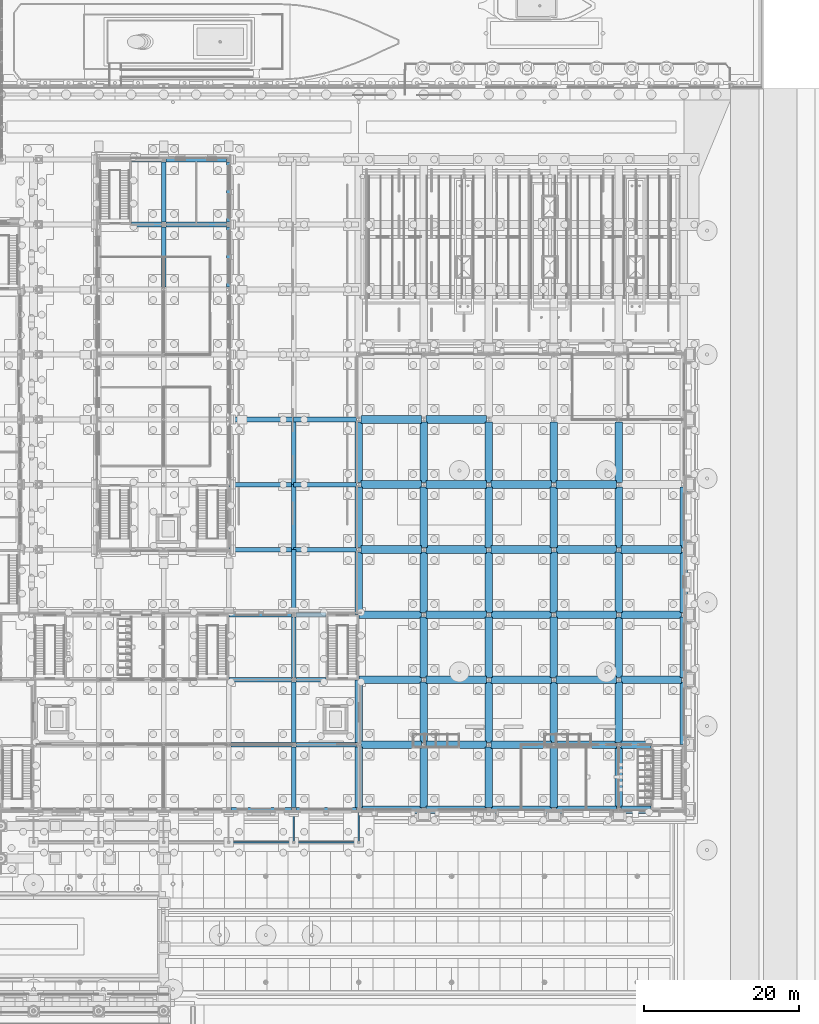
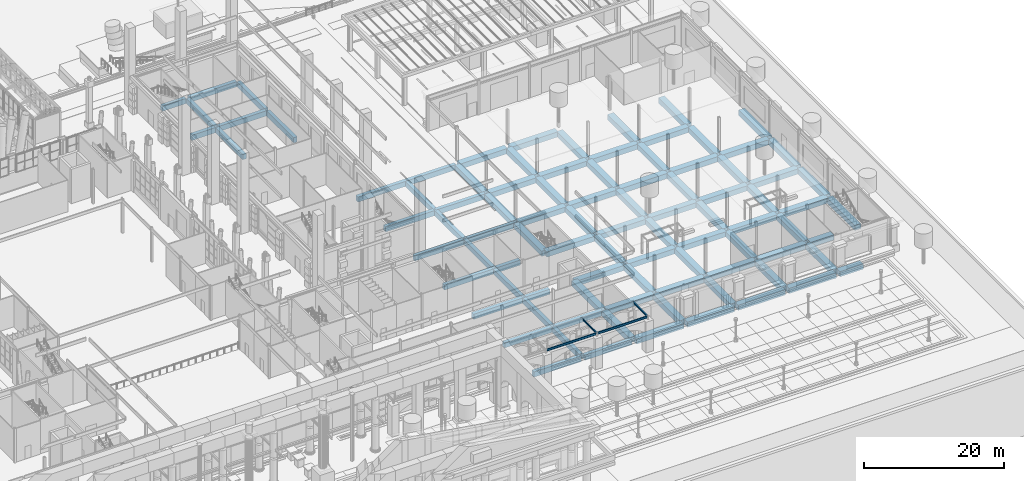
# One storey, part 60 of 222: 96 beams.
"""IFC4 building model written with IfcOpenShell, lengths in metres."""

from ifc_helpers import new_model, si_unit, direction, frame, origin, origin_2d, place, context, subcontext, project, spatial, rectangle, i_section, extrude, material, material_profile, profile_set, type_object, element, save


model = new_model("IFC4")

# Units and contexts
model_context = context("Model", 3, precision=1e-05, world=origin(), true_north=direction((0.0, 1.0)))
body_context = subcontext(model_context, "Body", "Model", "MODEL_VIEW")
ifc_project = project(units=[si_unit("LENGTHUNIT", "METRE"), si_unit("AREAUNIT", "SQUARE_METRE"), si_unit("VOLUMEUNIT", "CUBIC_METRE"), si_unit("PLANEANGLEUNIT", "RADIAN"), si_unit("MASSUNIT", "GRAM", prefix="KILO")], contexts=[model_context])

# Site, building, storey
site_placement = place(None, origin())
site = spatial("IfcSite", under=ifc_project, at=site_placement, CompositionType="ELEMENT")
building_placement = place(site_placement, origin())
building = spatial("IfcBuilding", under=site, at=building_placement, Name="Sava Quay Ferry Terminal", CompositionType="ELEMENT")
storey_placement = place(building_placement, origin())
storey = spatial("IfcBuildingStorey", under=building, at=storey_placement, Name="L00", CompositionType="ELEMENT", Elevation=0.0)

# Beams
ifc_material_1 = material(Name="Steel S355", Category="steel")
ifc_material_profile_1 = material_profile(ifc_material_1, i_section(OverallWidth=0.14990234375, OverallDepth=0.300048828125, WebThickness=0.007080078125, FlangeThickness=0.0107421875, at=origin_2d()), Name="IPE 300")
ifc_profile_set_1 = profile_set([ifc_material_profile_1], Name="Steel S355")
beam_type_1 = type_object("IfcBeamType", Name="Beam IPE 300", PredefinedType="BEAM", material=ifc_profile_set_1)
for number, where, z_axis, x_axis, name in (
    (1, (117.60009765625, 21.0, 5.85009765625), (0.0, 1.0, 0.0), (-1.0, 0.0, 0.0), "Arcade roof beam"),
    (2, (126.0, 21.0, 5.85009765625), (0.0, 1.0, 0.0), (-1.0, 0.0, 0.0), "Arcade roof beam"),
):
    element("IfcBeam", number, at=place(storey_placement, frame(where, z_axis=z_axis, x_axis=x_axis)), inside=storey, type_object=beam_type_1, Name=name, PredefinedType="BEAM", context=body_context, shape_type="SweptSolid", body=[
        extrude(i_section(OverallWidth=0.14990234375, OverallDepth=0.300048828125, WebThickness=0.007080078125, FlangeThickness=0.0107421875, at=origin_2d()), origin(), (0.0, 0.0, 1.0), 4.050048828125),
    ])
ifc_material_2 = material(Name="Steel S355", Category="steel")
ifc_material_profile_2 = material_profile(ifc_material_2, i_section(OverallWidth=0.169921875, OverallDepth=0.360107421875, WebThickness=0.008056640625, FlangeThickness=0.0126953125, at=origin_2d()), Name="IPE 360")
ifc_profile_set_2 = profile_set([ifc_material_profile_2], Name="Steel S355")
beam_type_2 = type_object("IfcBeamType", Name="Beam IPE 360", PredefinedType="BEAM", material=ifc_profile_set_2)
for number, where, z_axis, x_axis, name in (
    (3, (109.33642578125, 21.0, 5.820068359375), (1.0, 0.0, 0.0), (0.0, 1.0, 0.0), "Arcade edge beam"),
    (4, (117.736572265625, 21.0, 5.820068359375), (1.0, 0.0, 0.0), (0.0, 1.0, 0.0), "Arcade edge beam"),
):
    element("IfcBeam", number, at=place(storey_placement, frame(where, z_axis=z_axis, x_axis=x_axis)), inside=storey, type_object=beam_type_2, Name=name, PredefinedType="BEAM", context=body_context, shape_type="SweptSolid", body=[
        extrude(i_section(OverallWidth=0.169921875, OverallDepth=0.360107421875, WebThickness=0.008056640625, FlangeThickness=0.0126953125, at=origin_2d()), origin(), (0.0, 0.0, 1.0), 8.126953125),
    ])
ifc_material_3 = material(Name="Concrete C40/50", Category="concrete")
ifc_material_profile_3 = material_profile(ifc_material_3, rectangle(XDim=1.0, YDim=0.89990234375, at=origin_2d()), Name="RC 1000x900")
ifc_profile_set_3 = profile_set([ifc_material_profile_3], Name="Concrete C40/50")
beam_type_3 = type_object("IfcBeamType", Name="RC deck beam 1000x900", PredefinedType="BEAM", material=ifc_profile_set_3)
for number, where, z_axis, x_axis, name in (
    (5, (126.300048828125, 25.199951171875, -0.89990234375), (1.0, 0.0, 0.0), (0.0, 1.0, 0.0), "Deck beam X25.2-126"),
    (6, (134.699951171875, 25.199951171875, -0.89990234375), (1.0, 0.0, 0.0), (0.0, 1.0, 0.0), "Deck beam X25.2-134.4"),
):
    element("IfcBeam", number, at=place(storey_placement, frame(where, z_axis=z_axis, x_axis=x_axis)), inside=storey, type_object=beam_type_3, Name=name, PredefinedType="BEAM", context=body_context, shape_type="SweptSolid", body=[
        extrude(rectangle(XDim=1.0, YDim=0.89990234375, at=origin_2d()), origin(), (0.0, 0.0, 1.0), 7.800048828125),
    ])
beam_1_placement = place(storey_placement, frame((143.10009765625, 25.199951171875, -0.89990234375), z_axis=(1.0, 0.0, 0.0), x_axis=(0.0, 1.0, 0.0)))
element("IfcBeam", 7, at=beam_1_placement, inside=storey, type_object=beam_type_3, Name="Deck beam X25.2-142.8", PredefinedType="BEAM", context=body_context, shape_type="SweptSolid", body=[
    extrude(rectangle(XDim=1.0, YDim=0.89990234375, at=origin_2d()), origin(), (0.0, 0.0, 1.0), 7.7998046875),
])
beam_2_placement = place(storey_placement, frame((151.5, 25.199951171875, -0.89990234375), z_axis=(1.0, 0.0, 0.0), x_axis=(0.0, 1.0, 0.0)))
element("IfcBeam", 8, at=beam_2_placement, inside=storey, type_object=beam_type_3, Name="Deck beam X25.2-151.2", PredefinedType="BEAM", context=body_context, shape_type="SweptSolid", body=[
    extrude(rectangle(XDim=1.0, YDim=0.89990234375, at=origin_2d()), origin(), (0.0, 0.0, 1.0), 7.800048828125),
])
beam_3_placement = place(storey_placement, frame((159.89990234375, 25.199951171875, -0.89990234375), z_axis=(1.0, 0.0, 0.0), x_axis=(0.0, 1.0, 0.0)))
element("IfcBeam", 9, at=beam_3_placement, inside=storey, type_object=beam_type_3, Name="Deck beam X25.2-159.6", PredefinedType="BEAM", context=body_context, shape_type="SweptSolid", body=[
    extrude(rectangle(XDim=1.0, YDim=0.89990234375, at=origin_2d()), origin(), (0.0, 0.0, 1.0), 3.880126953125),
])
for number, where, z_axis, x_axis, name in (
    (10, (126.300048828125, 33.60009765625, -0.89990234375), (1.0, 0.0, 0.0), (0.0, 1.0, 0.0), "Deck beam X33.6-126"),
    (11, (134.699951171875, 33.60009765625, -0.89990234375), (1.0, 0.0, 0.0), (0.0, 1.0, 0.0), "Deck beam X33.6-134.4"),
):
    element("IfcBeam", number, at=place(storey_placement, frame(where, z_axis=z_axis, x_axis=x_axis)), inside=storey, type_object=beam_type_3, Name=name, PredefinedType="BEAM", context=body_context, shape_type="SweptSolid", body=[
        extrude(rectangle(XDim=1.0, YDim=0.89990234375, at=origin_2d()), origin(), (0.0, 0.0, 1.0), 7.800048828125),
    ])
beam_4_placement = place(storey_placement, frame((143.10009765625, 33.60009765625, -0.89990234375), z_axis=(1.0, 0.0, 0.0), x_axis=(0.0, 1.0, 0.0)))
element("IfcBeam", 12, at=beam_4_placement, inside=storey, type_object=beam_type_3, Name="Deck beam X33.6-142.8", PredefinedType="BEAM", context=body_context, shape_type="SweptSolid", body=[
    extrude(rectangle(XDim=1.0, YDim=0.89990234375, at=origin_2d()), origin(), (0.0, 0.0, 1.0), 7.7998046875),
])
beam_5_placement = place(storey_placement, frame((151.5, 33.60009765625, -0.89990234375), z_axis=(1.0, 0.0, 0.0), x_axis=(0.0, 1.0, 0.0)))
element("IfcBeam", 13, at=beam_5_placement, inside=storey, type_object=beam_type_3, Name="Deck beam X33.6-151.2", PredefinedType="BEAM", context=body_context, shape_type="SweptSolid", body=[
    extrude(rectangle(XDim=1.0, YDim=0.89990234375, at=origin_2d()), origin(), (0.0, 0.0, 1.0), 7.800048828125),
])
beam_6_placement = place(storey_placement, frame((159.89990234375, 33.60009765625, -0.89990234375), z_axis=(1.0, 0.0, 0.0), x_axis=(0.0, 1.0, 0.0)))
element("IfcBeam", 14, at=beam_6_placement, inside=storey, type_object=beam_type_3, Name="Deck beam X33.6-159.6", PredefinedType="BEAM", context=body_context, shape_type="SweptSolid", body=[
    extrude(rectangle(XDim=1.0, YDim=0.89990234375, at=origin_2d()), origin(), (0.0, 0.0, 1.0), 3.880126953125),
])
beam_7_placement = place(storey_placement, frame((126.02001953125, 42.0, -0.89990234375), z_axis=(1.0, 0.0, 0.0), x_axis=(0.0, 1.0, 0.0)))
element("IfcBeam", 15, at=beam_7_placement, inside=storey, type_object=beam_type_3, Name="Deck beam X42-126", PredefinedType="BEAM", context=body_context, shape_type="SweptSolid", body=[
    extrude(rectangle(XDim=1.0, YDim=0.89990234375, at=origin_2d()), origin(), (0.0, 0.0, 1.0), 8.080078125),
])
beam_8_placement = place(storey_placement, frame((134.699951171875, 42.0, -0.89990234375), z_axis=(1.0, 0.0, 0.0), x_axis=(0.0, 1.0, 0.0)))
element("IfcBeam", 16, at=beam_8_placement, inside=storey, type_object=beam_type_3, Name="Deck beam X42-134.4", PredefinedType="BEAM", context=body_context, shape_type="SweptSolid", body=[
    extrude(rectangle(XDim=1.0, YDim=0.89990234375, at=origin_2d()), origin(), (0.0, 0.0, 1.0), 7.800048828125),
])
beam_9_placement = place(storey_placement, frame((143.10009765625, 42.0, -0.89990234375), z_axis=(1.0, 0.0, 0.0), x_axis=(0.0, 1.0, 0.0)))
element("IfcBeam", 17, at=beam_9_placement, inside=storey, type_object=beam_type_3, Name="Deck beam X42-142.8", PredefinedType="BEAM", context=body_context, shape_type="SweptSolid", body=[
    extrude(rectangle(XDim=1.0, YDim=0.89990234375, at=origin_2d()), origin(), (0.0, 0.0, 1.0), 7.7998046875),
])
for number, where, z_axis, x_axis, name in (
    (18, (151.5, 42.0, -0.89990234375), (1.0, 0.0, 0.0), (0.0, 1.0, 0.0), "Deck beam X42-151.2"),
    (19, (159.89990234375, 42.0, -0.89990234375), (1.0, 0.0, 0.0), (0.0, 1.0, 0.0), "Deck beam X42-159.6"),
):
    element("IfcBeam", number, at=place(storey_placement, frame(where, z_axis=z_axis, x_axis=x_axis)), inside=storey, type_object=beam_type_3, Name=name, PredefinedType="BEAM", context=body_context, shape_type="SweptSolid", body=[
        extrude(rectangle(XDim=1.0, YDim=0.89990234375, at=origin_2d()), origin(), (0.0, 0.0, 1.0), 7.800048828125),
    ])
beam_10_placement = place(storey_placement, frame((126.02001953125, 50.39990234375, -0.89990234375), z_axis=(1.0, 0.0, 0.0), x_axis=(0.0, 1.0, 0.0)))
element("IfcBeam", 20, at=beam_10_placement, inside=storey, type_object=beam_type_3, Name="Deck beam X50.4-126", PredefinedType="BEAM", context=body_context, shape_type="SweptSolid", body=[
    extrude(rectangle(XDim=1.0, YDim=0.89990234375, at=origin_2d()), origin(), (0.0, 0.0, 1.0), 8.080078125),
])
beam_11_placement = place(storey_placement, frame((134.699951171875, 50.39990234375, -0.89990234375), z_axis=(1.0, 0.0, 0.0), x_axis=(0.0, 1.0, 0.0)))
element("IfcBeam", 21, at=beam_11_placement, inside=storey, type_object=beam_type_3, Name="Deck beam X50.4-134.4", PredefinedType="BEAM", context=body_context, shape_type="SweptSolid", body=[
    extrude(rectangle(XDim=1.0, YDim=0.89990234375, at=origin_2d()), origin(), (0.0, 0.0, 1.0), 7.800048828125),
])
beam_12_placement = place(storey_placement, frame((143.10009765625, 50.39990234375, -0.89990234375), z_axis=(1.0, 0.0, 0.0), x_axis=(0.0, 1.0, 0.0)))
element("IfcBeam", 22, at=beam_12_placement, inside=storey, type_object=beam_type_3, Name="Deck beam X50.4-142.8", PredefinedType="BEAM", context=body_context, shape_type="SweptSolid", body=[
    extrude(rectangle(XDim=1.0, YDim=0.89990234375, at=origin_2d()), origin(), (0.0, 0.0, 1.0), 7.7998046875),
])
for number, where, z_axis, x_axis, name in (
    (23, (151.5, 50.39990234375, -0.89990234375), (1.0, 0.0, 0.0), (0.0, 1.0, 0.0), "Deck beam X50.4-151.2"),
    (24, (159.89990234375, 50.39990234375, -0.89990234375), (1.0, 0.0, 0.0), (0.0, 1.0, 0.0), "Deck beam X50.4-159.6"),
    (25, (126.300048828125, 58.800048828125, -0.89990234375), (1.0, 0.0, 0.0), (0.0, 1.0, 0.0), "Deck beam X58.8-126"),
    (26, (134.699951171875, 58.800048828125, -0.89990234375), (1.0, 0.0, 0.0), (0.0, 1.0, 0.0), "Deck beam X58.8-134.4"),
):
    element("IfcBeam", number, at=place(storey_placement, frame(where, z_axis=z_axis, x_axis=x_axis)), inside=storey, type_object=beam_type_3, Name=name, PredefinedType="BEAM", context=body_context, shape_type="SweptSolid", body=[
        extrude(rectangle(XDim=1.0, YDim=0.89990234375, at=origin_2d()), origin(), (0.0, 0.0, 1.0), 7.800048828125),
    ])
beam_13_placement = place(storey_placement, frame((143.10009765625, 58.800048828125, -0.89990234375), z_axis=(1.0, 0.0, 0.0), x_axis=(0.0, 1.0, 0.0)))
element("IfcBeam", 27, at=beam_13_placement, inside=storey, type_object=beam_type_3, Name="Deck beam X58.8-142.8", PredefinedType="BEAM", context=body_context, shape_type="SweptSolid", body=[
    extrude(rectangle(XDim=1.0, YDim=0.89990234375, at=origin_2d()), origin(), (0.0, 0.0, 1.0), 7.7998046875),
])
for number, where, z_axis, x_axis, name in (
    (28, (151.5, 58.800048828125, -0.89990234375), (1.0, 0.0, 0.0), (0.0, 1.0, 0.0), "Deck beam X58.8-151.2"),
    (29, (159.89990234375, 58.800048828125, -0.89990234375), (1.0, 0.0, 0.0), (0.0, 1.0, 0.0), "Deck beam X58.8-159.6"),
    (30, (126.300048828125, 67.199951171875, -0.89990234375), (1.0, 0.0, 0.0), (0.0, 1.0, 0.0), "Deck beam X67.2-126"),
    (31, (134.699951171875, 67.199951171875, -0.89990234375), (1.0, 0.0, 0.0), (0.0, 1.0, 0.0), "Deck beam X67.2-134.4"),
):
    element("IfcBeam", number, at=place(storey_placement, frame(where, z_axis=z_axis, x_axis=x_axis)), inside=storey, type_object=beam_type_3, Name=name, PredefinedType="BEAM", context=body_context, shape_type="SweptSolid", body=[
        extrude(rectangle(XDim=1.0, YDim=0.89990234375, at=origin_2d()), origin(), (0.0, 0.0, 1.0), 7.800048828125),
    ])
beam_14_placement = place(storey_placement, frame((143.10009765625, 67.199951171875, -0.89990234375), z_axis=(1.0, 0.0, 0.0), x_axis=(0.0, 1.0, 0.0)))
element("IfcBeam", 32, at=beam_14_placement, inside=storey, type_object=beam_type_3, Name="Deck beam X67.2-142.8", PredefinedType="BEAM", context=body_context, shape_type="SweptSolid", body=[
    extrude(rectangle(XDim=1.0, YDim=0.89990234375, at=origin_2d()), origin(), (0.0, 0.0, 1.0), 7.7998046875),
])
for number, where, z_axis, x_axis, name in (
    (33, (151.5, 67.199951171875, -0.89990234375), (1.0, 0.0, 0.0), (0.0, 1.0, 0.0), "Deck beam X67.2-151.2"),
    (34, (126.300048828125, 75.60009765625, -0.89990234375), (1.0, 0.0, 0.0), (0.0, 1.0, 0.0), "Deck beam X75.6-126"),
    (35, (134.699951171875, 75.60009765625, -0.89990234375), (1.0, 0.0, 0.0), (0.0, 1.0, 0.0), "Deck beam X75.6-134.4"),
    (36, (126.0, 25.5, -0.89990234375), (0.0, 1.0, 0.0), (-1.0, 0.0, 0.0), "Deck beam Y126-25.2"),
):
    element("IfcBeam", number, at=place(storey_placement, frame(where, z_axis=z_axis, x_axis=x_axis)), inside=storey, type_object=beam_type_3, Name=name, PredefinedType="BEAM", context=body_context, shape_type="SweptSolid", body=[
        extrude(rectangle(XDim=1.0, YDim=0.89990234375, at=origin_2d()), origin(), (0.0, 0.0, 1.0), 7.800048828125),
    ])
for number, where, z_axis, x_axis, name in (
    (37, (126.0, 33.89990234375, -0.89990234375), (0.0, 1.0, 0.0), (-1.0, 0.0, 0.0), "Deck beam Y126-33.6"),
    (38, (126.0, 50.419921875, -0.89990234375), (0.0, 1.0, 0.0), (-1.0, 0.0, 0.0), "Deck beam Y126-50.4"),
):
    element("IfcBeam", number, at=place(storey_placement, frame(where, z_axis=z_axis, x_axis=x_axis)), inside=storey, type_object=beam_type_3, Name=name, PredefinedType="BEAM", context=body_context, shape_type="SweptSolid", body=[
        extrude(rectangle(XDim=1.0, YDim=0.89990234375, at=origin_2d()), origin(), (0.0, 0.0, 1.0), 8.080078125),
    ])
beam_15_placement = place(storey_placement, frame((126.0, 59.10009765625, -0.89990234375), z_axis=(0.0, 1.0, 0.0), x_axis=(-1.0, 0.0, 0.0)))
element("IfcBeam", 39, at=beam_15_placement, inside=storey, type_object=beam_type_3, Name="Deck beam Y126-58.8", PredefinedType="BEAM", context=body_context, shape_type="SweptSolid", body=[
    extrude(rectangle(XDim=1.0, YDim=0.89990234375, at=origin_2d()), origin(), (0.0, 0.0, 1.0), 7.7998046875),
])
for number, where, z_axis, x_axis, name in (
    (40, (126.0, 67.5, -0.89990234375), (0.0, 1.0, 0.0), (-1.0, 0.0, 0.0), "Deck beam Y126-67.2"),
    (41, (134.39990234375, 25.5, -0.89990234375), (0.0, 1.0, 0.0), (-1.0, 0.0, 0.0), "Deck beam Y134.4-25.2"),
    (42, (134.39990234375, 33.89990234375, -0.89990234375), (0.0, 1.0, 0.0), (-1.0, 0.0, 0.0), "Deck beam Y134.4-33.6"),
    (43, (134.39990234375, 42.300048828125, -0.89990234375), (0.0, 1.0, 0.0), (-1.0, 0.0, 0.0), "Deck beam Y134.4-42"),
    (44, (134.39990234375, 50.699951171875, -0.89990234375), (0.0, 1.0, 0.0), (-1.0, 0.0, 0.0), "Deck beam Y134.4-50.4"),
):
    element("IfcBeam", number, at=place(storey_placement, frame(where, z_axis=z_axis, x_axis=x_axis)), inside=storey, type_object=beam_type_3, Name=name, PredefinedType="BEAM", context=body_context, shape_type="SweptSolid", body=[
        extrude(rectangle(XDim=1.0, YDim=0.89990234375, at=origin_2d()), origin(), (0.0, 0.0, 1.0), 7.800048828125),
    ])
beam_16_placement = place(storey_placement, frame((134.39990234375, 59.10009765625, -0.89990234375), z_axis=(0.0, 1.0, 0.0), x_axis=(-1.0, 0.0, 0.0)))
element("IfcBeam", 45, at=beam_16_placement, inside=storey, type_object=beam_type_3, Name="Deck beam Y134.4-58.8", PredefinedType="BEAM", context=body_context, shape_type="SweptSolid", body=[
    extrude(rectangle(XDim=1.0, YDim=0.89990234375, at=origin_2d()), origin(), (0.0, 0.0, 1.0), 7.7998046875),
])
for number, where, z_axis, x_axis, name in (
    (46, (134.39990234375, 67.5, -0.89990234375), (0.0, 1.0, 0.0), (-1.0, 0.0, 0.0), "Deck beam Y134.4-67.2"),
    (47, (142.800048828125, 25.5, -0.89990234375), (0.0, 1.0, 0.0), (-1.0, 0.0, 0.0), "Deck beam Y142.8-25.2"),
    (48, (142.800048828125, 33.89990234375, -0.89990234375), (0.0, 1.0, 0.0), (-1.0, 0.0, 0.0), "Deck beam Y142.8-33.6"),
    (49, (142.800048828125, 42.300048828125, -0.89990234375), (0.0, 1.0, 0.0), (-1.0, 0.0, 0.0), "Deck beam Y142.8-42"),
    (50, (142.800048828125, 50.699951171875, -0.89990234375), (0.0, 1.0, 0.0), (-1.0, 0.0, 0.0), "Deck beam Y142.8-50.4"),
):
    element("IfcBeam", number, at=place(storey_placement, frame(where, z_axis=z_axis, x_axis=x_axis)), inside=storey, type_object=beam_type_3, Name=name, PredefinedType="BEAM", context=body_context, shape_type="SweptSolid", body=[
        extrude(rectangle(XDim=1.0, YDim=0.89990234375, at=origin_2d()), origin(), (0.0, 0.0, 1.0), 7.800048828125),
    ])
beam_17_placement = place(storey_placement, frame((142.800048828125, 59.10009765625, -0.89990234375), z_axis=(0.0, 1.0, 0.0), x_axis=(-1.0, 0.0, 0.0)))
element("IfcBeam", 51, at=beam_17_placement, inside=storey, type_object=beam_type_3, Name="Deck beam Y142.8-58.8", PredefinedType="BEAM", context=body_context, shape_type="SweptSolid", body=[
    extrude(rectangle(XDim=1.0, YDim=0.89990234375, at=origin_2d()), origin(), (0.0, 0.0, 1.0), 7.7998046875),
])
for number, where, z_axis, x_axis, name in (
    (52, (142.800048828125, 67.5, -0.89990234375), (0.0, 1.0, 0.0), (-1.0, 0.0, 0.0), "Deck beam Y142.8-67.2"),
    (53, (151.199951171875, 25.5, -0.89990234375), (0.0, 1.0, 0.0), (-1.0, 0.0, 0.0), "Deck beam Y151.2-25.2"),
    (54, (151.199951171875, 33.89990234375, -0.89990234375), (0.0, 1.0, 0.0), (-1.0, 0.0, 0.0), "Deck beam Y151.2-33.6"),
    (55, (151.199951171875, 42.300048828125, -0.89990234375), (0.0, 1.0, 0.0), (-1.0, 0.0, 0.0), "Deck beam Y151.2-42"),
    (56, (151.199951171875, 50.699951171875, -0.89990234375), (0.0, 1.0, 0.0), (-1.0, 0.0, 0.0), "Deck beam Y151.2-50.4"),
):
    element("IfcBeam", number, at=place(storey_placement, frame(where, z_axis=z_axis, x_axis=x_axis)), inside=storey, type_object=beam_type_3, Name=name, PredefinedType="BEAM", context=body_context, shape_type="SweptSolid", body=[
        extrude(rectangle(XDim=1.0, YDim=0.89990234375, at=origin_2d()), origin(), (0.0, 0.0, 1.0), 7.800048828125),
    ])
beam_18_placement = place(storey_placement, frame((151.199951171875, 59.10009765625, -0.89990234375), z_axis=(0.0, 1.0, 0.0), x_axis=(-1.0, 0.0, 0.0)))
element("IfcBeam", 57, at=beam_18_placement, inside=storey, type_object=beam_type_3, Name="Deck beam Y151.2-58.8", PredefinedType="BEAM", context=body_context, shape_type="SweptSolid", body=[
    extrude(rectangle(XDim=1.0, YDim=0.89990234375, at=origin_2d()), origin(), (0.0, 0.0, 1.0), 7.7998046875),
])
for number, where, z_axis, x_axis, name in (
    (58, (151.199951171875, 67.5, -0.89990234375), (0.0, 1.0, 0.0), (-1.0, 0.0, 0.0), "Deck beam Y151.2-67.2"),
    (59, (159.60009765625, 25.5, -0.89990234375), (0.0, 1.0, 0.0), (-1.0, 0.0, 0.0), "Deck beam Y159.6-25.2"),
    (60, (159.60009765625, 33.89990234375, -0.89990234375), (0.0, 1.0, 0.0), (-1.0, 0.0, 0.0), "Deck beam Y159.6-33.6"),
    (61, (159.60009765625, 42.300048828125, -0.89990234375), (0.0, 1.0, 0.0), (-1.0, 0.0, 0.0), "Deck beam Y159.6-42"),
    (62, (159.60009765625, 50.699951171875, -0.89990234375), (0.0, 1.0, 0.0), (-1.0, 0.0, 0.0), "Deck beam Y159.6-50.4"),
):
    element("IfcBeam", number, at=place(storey_placement, frame(where, z_axis=z_axis, x_axis=x_axis)), inside=storey, type_object=beam_type_3, Name=name, PredefinedType="BEAM", context=body_context, shape_type="SweptSolid", body=[
        extrude(rectangle(XDim=1.0, YDim=0.89990234375, at=origin_2d()), origin(), (0.0, 0.0, 1.0), 7.800048828125),
    ])
beam_19_placement = place(storey_placement, frame((159.60009765625, 59.10009765625, -0.89990234375), z_axis=(0.0, 1.0, 0.0), x_axis=(-1.0, 0.0, 0.0)))
element("IfcBeam", 63, at=beam_19_placement, inside=storey, type_object=beam_type_3, Name="Deck beam Y159.6-58.8", PredefinedType="BEAM", context=body_context, shape_type="SweptSolid", body=[
    extrude(rectangle(XDim=1.0, YDim=0.89990234375, at=origin_2d()), origin(), (0.0, 0.0, 1.0), 7.7998046875),
])
beam_20_placement = place(storey_placement, frame((159.60009765625, 67.5, -0.89990234375), z_axis=(0.0, 1.0, 0.0), x_axis=(-1.0, 0.0, 0.0)))
element("IfcBeam", 64, at=beam_20_placement, inside=storey, type_object=beam_type_3, Name="Deck beam Y159.6-67.2", PredefinedType="BEAM", context=body_context, shape_type="SweptSolid", body=[
    extrude(rectangle(XDim=1.0, YDim=0.89990234375, at=origin_2d()), origin(), (0.0, 0.0, 1.0), 7.800048828125),
])
beam_21_placement = place(storey_placement, frame((168.0, 33.6201171875, -0.89990234375), z_axis=(0.0, 1.0, 0.0), x_axis=(-1.0, 0.0, 0.0)))
element("IfcBeam", 65, at=beam_21_placement, inside=storey, type_object=beam_type_3, Name="Deck beam Y168-33.6", PredefinedType="BEAM", context=body_context, shape_type="SweptSolid", body=[
    extrude(rectangle(XDim=1.0, YDim=0.89990234375, at=origin_2d()), origin(), (0.0, 0.0, 1.0), 8.079833984375),
])
for number, where, z_axis, x_axis, name in (
    (66, (168.0, 42.300048828125, -0.89990234375), (0.0, 1.0, 0.0), (-1.0, 0.0, 0.0), "Deck beam Y168-42"),
    (67, (168.0, 50.699951171875, -0.89990234375), (0.0, 1.0, 0.0), (-1.0, 0.0, 0.0), "Deck beam Y168-50.4"),
):
    element("IfcBeam", number, at=place(storey_placement, frame(where, z_axis=z_axis, x_axis=x_axis)), inside=storey, type_object=beam_type_3, Name=name, PredefinedType="BEAM", context=body_context, shape_type="SweptSolid", body=[
        extrude(rectangle(XDim=1.0, YDim=0.89990234375, at=origin_2d()), origin(), (0.0, 0.0, 1.0), 7.800048828125),
    ])
beam_22_placement = place(storey_placement, frame((168.0, 59.10009765625, -0.89990234375), z_axis=(0.0, 1.0, 0.0), x_axis=(-1.0, 0.0, 0.0)))
element("IfcBeam", 68, at=beam_22_placement, inside=storey, type_object=beam_type_3, Name="Deck beam Y168-58.8", PredefinedType="BEAM", context=body_context, shape_type="SweptSolid", body=[
    extrude(rectangle(XDim=1.0, YDim=0.89990234375, at=origin_2d()), origin(), (0.0, 0.0, 1.0), 7.7998046875),
])
ifc_material_4 = material(Name="Concrete C40/50", Category="concrete")
ifc_material_profile_4 = material_profile(ifc_material_4, rectangle(XDim=0.60009765625, YDim=0.89990234375, at=origin_2d()), Name="RC 600x900")
ifc_profile_set_4 = profile_set([ifc_material_profile_4], Name="Concrete C40/50")
beam_type_4 = type_object("IfcBeamType", Name="RC deck beam 600x900", PredefinedType="BEAM", material=ifc_profile_set_4)
for number, where, z_axis, x_axis, name in (
    (69, (109.5, 25.199951171875, -0.89990234375), (1.0, 0.0, 0.0), (0.0, 1.0, 0.0), "Deck beam X25.2-109.2"),
    (70, (117.89990234375, 25.199951171875, -0.89990234375), (1.0, 0.0, 0.0), (0.0, 1.0, 0.0), "Deck beam X25.2-117.6"),
    (71, (109.5, 33.60009765625, -0.89990234375), (1.0, 0.0, 0.0), (0.0, 1.0, 0.0), "Deck beam X33.6-109.2"),
    (72, (117.89990234375, 33.60009765625, -0.89990234375), (1.0, 0.0, 0.0), (0.0, 1.0, 0.0), "Deck beam X33.6-117.6"),
):
    element("IfcBeam", number, at=place(storey_placement, frame(where, z_axis=z_axis, x_axis=x_axis)), inside=storey, type_object=beam_type_4, Name=name, PredefinedType="BEAM", context=body_context, shape_type="SweptSolid", body=[
        extrude(rectangle(XDim=0.60009765625, YDim=0.89990234375, at=origin_2d()), origin(), (0.0, 0.0, 1.0), 7.800048828125),
    ])
beam_23_placement = place(storey_placement, frame((109.219970703125, 42.0, -0.89990234375), z_axis=(1.0, 0.0, 0.0), x_axis=(0.0, 1.0, 0.0)))
element("IfcBeam", 73, at=beam_23_placement, inside=storey, type_object=beam_type_4, Name="Deck beam X42-109.2", PredefinedType="BEAM", context=body_context, shape_type="SweptSolid", body=[
    extrude(rectangle(XDim=0.60009765625, YDim=0.89990234375, at=origin_2d()), origin(), (0.0, 0.0, 1.0), 8.080078125),
])
beam_24_placement = place(storey_placement, frame((117.89990234375, 42.0, -0.89990234375), z_axis=(1.0, 0.0, 0.0), x_axis=(0.0, 1.0, 0.0)))
element("IfcBeam", 74, at=beam_24_placement, inside=storey, type_object=beam_type_4, Name="Deck beam X42-117.6", PredefinedType="BEAM", context=body_context, shape_type="SweptSolid", body=[
    extrude(rectangle(XDim=0.60009765625, YDim=0.89990234375, at=origin_2d()), origin(), (0.0, 0.0, 1.0), 3.880126953125),
])
beam_25_placement = place(storey_placement, frame((109.219970703125, 50.39990234375, -0.89990234375), z_axis=(1.0, 0.0, 0.0), x_axis=(0.0, 1.0, 0.0)))
element("IfcBeam", 75, at=beam_25_placement, inside=storey, type_object=beam_type_4, Name="Deck beam X50.4-109.2", PredefinedType="BEAM", context=body_context, shape_type="SweptSolid", body=[
    extrude(rectangle(XDim=0.60009765625, YDim=0.89990234375, at=origin_2d()), origin(), (0.0, 0.0, 1.0), 8.080078125),
])
beam_26_placement = place(storey_placement, frame((117.89990234375, 50.39990234375, -0.89990234375), z_axis=(1.0, 0.0, 0.0), x_axis=(0.0, 1.0, 0.0)))
element("IfcBeam", 76, at=beam_26_placement, inside=storey, type_object=beam_type_4, Name="Deck beam X50.4-117.6", PredefinedType="BEAM", context=body_context, shape_type="SweptSolid", body=[
    extrude(rectangle(XDim=0.60009765625, YDim=0.89990234375, at=origin_2d()), origin(), (0.0, 0.0, 1.0), 3.880126953125),
])
beam_27_placement = place(storey_placement, frame((109.219970703125, 58.800048828125, -0.89990234375), z_axis=(1.0, 0.0, 0.0), x_axis=(0.0, 1.0, 0.0)))
element("IfcBeam", 77, at=beam_27_placement, inside=storey, type_object=beam_type_4, Name="Deck beam X58.8-109.2", PredefinedType="BEAM", context=body_context, shape_type="SweptSolid", body=[
    extrude(rectangle(XDim=0.60009765625, YDim=0.89990234375, at=origin_2d()), origin(), (0.0, 0.0, 1.0), 8.380126953125),
])
beam_28_placement = place(storey_placement, frame((117.60009765625, 58.800048828125, -0.89990234375), z_axis=(1.0, 0.0, 0.0), x_axis=(0.0, 1.0, 0.0)))
element("IfcBeam", 78, at=beam_28_placement, inside=storey, type_object=beam_type_4, Name="Deck beam X58.8-117.6", PredefinedType="BEAM", context=body_context, shape_type="SweptSolid", body=[
    extrude(rectangle(XDim=0.60009765625, YDim=0.89990234375, at=origin_2d()), origin(), (0.0, 0.0, 1.0), 8.099853515625),
])
beam_29_placement = place(storey_placement, frame((109.219970703125, 67.199951171875, -0.89990234375), z_axis=(1.0, 0.0, 0.0), x_axis=(0.0, 1.0, 0.0)))
element("IfcBeam", 79, at=beam_29_placement, inside=storey, type_object=beam_type_4, Name="Deck beam X67.2-109.2", PredefinedType="BEAM", context=body_context, shape_type="SweptSolid", body=[
    extrude(rectangle(XDim=0.60009765625, YDim=0.89990234375, at=origin_2d()), origin(), (0.0, 0.0, 1.0), 8.380126953125),
])
beam_30_placement = place(storey_placement, frame((117.60009765625, 67.199951171875, -0.89990234375), z_axis=(1.0, 0.0, 0.0), x_axis=(0.0, 1.0, 0.0)))
element("IfcBeam", 80, at=beam_30_placement, inside=storey, type_object=beam_type_4, Name="Deck beam X67.2-117.6", PredefinedType="BEAM", context=body_context, shape_type="SweptSolid", body=[
    extrude(rectangle(XDim=0.60009765625, YDim=0.89990234375, at=origin_2d()), origin(), (0.0, 0.0, 1.0), 8.099853515625),
])
beam_31_placement = place(storey_placement, frame((109.5, 75.60009765625, -0.89990234375), z_axis=(1.0, 0.0, 0.0), x_axis=(0.0, 1.0, 0.0)))
element("IfcBeam", 81, at=beam_31_placement, inside=storey, type_object=beam_type_4, Name="Deck beam X75.6-109.2", PredefinedType="BEAM", context=body_context, shape_type="SweptSolid", body=[
    extrude(rectangle(XDim=0.60009765625, YDim=0.89990234375, at=origin_2d()), origin(), (0.0, 0.0, 1.0), 8.10009765625),
])
beam_32_placement = place(storey_placement, frame((117.60009765625, 75.60009765625, -0.89990234375), z_axis=(1.0, 0.0, 0.0), x_axis=(0.0, 1.0, 0.0)))
element("IfcBeam", 82, at=beam_32_placement, inside=storey, type_object=beam_type_4, Name="Deck beam X75.6-117.6", PredefinedType="BEAM", context=body_context, shape_type="SweptSolid", body=[
    extrude(rectangle(XDim=0.60009765625, YDim=0.89990234375, at=origin_2d()), origin(), (0.0, 0.0, 1.0), 8.099853515625),
])
beam_33_placement = place(storey_placement, frame((96.6201171875, 100.800048828125, -0.89990234375), z_axis=(1.0, 0.0, 0.0), x_axis=(0.0, 1.0, 0.0)))
element("IfcBeam", 83, at=beam_33_placement, inside=storey, type_object=beam_type_4, Name="Deck beam X100.8-92.4", PredefinedType="BEAM", context=body_context, shape_type="SweptSolid", body=[
    extrude(rectangle(XDim=0.60009765625, YDim=0.89990234375, at=origin_2d()), origin(), (0.0, 0.0, 1.0), 3.8798828125),
])
beam_34_placement = place(storey_placement, frame((101.10009765625, 100.800048828125, -0.89990234375), z_axis=(1.0, 0.0, 0.0), x_axis=(0.0, 1.0, 0.0)))
element("IfcBeam", 84, at=beam_34_placement, inside=storey, type_object=beam_type_4, Name="Deck beam X100.8-100.8", PredefinedType="BEAM", context=body_context, shape_type="SweptSolid", body=[
    extrude(rectangle(XDim=0.60009765625, YDim=0.89990234375, at=origin_2d()), origin(), (0.0, 0.0, 1.0), 7.7998046875),
])
beam_35_placement = place(storey_placement, frame((96.6201171875, 109.199951171875, -0.89990234375), z_axis=(1.0, 0.0, 0.0), x_axis=(0.0, 1.0, 0.0)))
element("IfcBeam", 85, at=beam_35_placement, inside=storey, type_object=beam_type_4, Name="Deck beam X109.2-92.4", PredefinedType="BEAM", context=body_context, shape_type="SweptSolid", body=[
    extrude(rectangle(XDim=0.60009765625, YDim=0.89990234375, at=origin_2d()), origin(), (0.0, 0.0, 1.0), 3.8798828125),
])
beam_36_placement = place(storey_placement, frame((101.10009765625, 109.199951171875, -0.89990234375), z_axis=(1.0, 0.0, 0.0), x_axis=(0.0, 1.0, 0.0)))
element("IfcBeam", 86, at=beam_36_placement, inside=storey, type_object=beam_type_4, Name="Deck beam X109.2-100.8", PredefinedType="BEAM", context=body_context, shape_type="SweptSolid", body=[
    extrude(rectangle(XDim=0.60009765625, YDim=0.89990234375, at=origin_2d()), origin(), (0.0, 0.0, 1.0), 7.7998046875),
])
beam_37_placement = place(storey_placement, frame((100.800048828125, 92.699951171875, -0.89990234375), z_axis=(0.0, 1.0, 0.0), x_axis=(-1.0, 0.0, 0.0)))
element("IfcBeam", 87, at=beam_37_placement, inside=storey, type_object=beam_type_4, Name="Deck beam Y100.8-92.4", PredefinedType="BEAM", context=body_context, shape_type="SweptSolid", body=[
    extrude(rectangle(XDim=0.60009765625, YDim=0.89990234375, at=origin_2d()), origin(), (0.0, 0.0, 1.0), 7.800048828125),
])
beam_38_placement = place(storey_placement, frame((100.800048828125, 101.10009765625, -0.89990234375), z_axis=(0.0, 1.0, 0.0), x_axis=(-1.0, 0.0, 0.0)))
element("IfcBeam", 88, at=beam_38_placement, inside=storey, type_object=beam_type_4, Name="Deck beam Y100.8-100.8", PredefinedType="BEAM", context=body_context, shape_type="SweptSolid", body=[
    extrude(rectangle(XDim=0.60009765625, YDim=0.89990234375, at=origin_2d()), origin(), (0.0, 0.0, 1.0), 7.7998046875),
])
beam_39_placement = place(storey_placement, frame((109.199951171875, 92.699951171875, -0.89990234375), z_axis=(0.0, 1.0, 0.0), x_axis=(-1.0, 0.0, 0.0)))
element("IfcBeam", 89, at=beam_39_placement, inside=storey, type_object=beam_type_4, Name="Deck beam Y109.2-92.4", PredefinedType="BEAM", context=body_context, shape_type="SweptSolid", body=[
    extrude(rectangle(XDim=0.60009765625, YDim=0.89990234375, at=origin_2d()), origin(), (0.0, 0.0, 1.0), 7.800048828125),
])
beam_40_placement = place(storey_placement, frame((109.199951171875, 101.10009765625, -0.89990234375), z_axis=(0.0, 1.0, 0.0), x_axis=(-1.0, 0.0, 0.0)))
element("IfcBeam", 90, at=beam_40_placement, inside=storey, type_object=beam_type_4, Name="Deck beam Y109.2-100.8", PredefinedType="BEAM", context=body_context, shape_type="SweptSolid", body=[
    extrude(rectangle(XDim=0.60009765625, YDim=0.89990234375, at=origin_2d()), origin(), (0.0, 0.0, 1.0), 7.7998046875),
])
for number, where, z_axis, x_axis, name in (
    (91, (117.60009765625, 25.5, -0.89990234375), (0.0, 1.0, 0.0), (-1.0, 0.0, 0.0), "Deck beam Y117.6-25.2"),
    (92, (117.60009765625, 33.89990234375, -0.89990234375), (0.0, 1.0, 0.0), (-1.0, 0.0, 0.0), "Deck beam Y117.6-33.6"),
    (93, (117.60009765625, 42.300048828125, -0.89990234375), (0.0, 1.0, 0.0), (-1.0, 0.0, 0.0), "Deck beam Y117.6-42"),
):
    element("IfcBeam", number, at=place(storey_placement, frame(where, z_axis=z_axis, x_axis=x_axis)), inside=storey, type_object=beam_type_4, Name=name, PredefinedType="BEAM", context=body_context, shape_type="SweptSolid", body=[
        extrude(rectangle(XDim=0.60009765625, YDim=0.89990234375, at=origin_2d()), origin(), (0.0, 0.0, 1.0), 7.800048828125),
    ])
beam_41_placement = place(storey_placement, frame((117.60009765625, 50.699951171875, -0.89990234375), z_axis=(0.0, 1.0, 0.0), x_axis=(-1.0, 0.0, 0.0)))
element("IfcBeam", 94, at=beam_41_placement, inside=storey, type_object=beam_type_4, Name="Deck beam Y117.6-50.4", PredefinedType="BEAM", context=body_context, shape_type="SweptSolid", body=[
    extrude(rectangle(XDim=0.60009765625, YDim=0.89990234375, at=origin_2d()), origin(), (0.0, 0.0, 1.0), 8.10009765625),
])
beam_42_placement = place(storey_placement, frame((117.60009765625, 58.800048828125, -0.89990234375), z_axis=(0.0, 1.0, 0.0), x_axis=(-1.0, 0.0, 0.0)))
element("IfcBeam", 95, at=beam_42_placement, inside=storey, type_object=beam_type_4, Name="Deck beam Y117.6-58.8", PredefinedType="BEAM", context=body_context, shape_type="SweptSolid", body=[
    extrude(rectangle(XDim=0.60009765625, YDim=0.89990234375, at=origin_2d()), origin(), (0.0, 0.0, 1.0), 8.39990234375),
])
beam_43_placement = place(storey_placement, frame((117.60009765625, 67.199951171875, -0.89990234375), z_axis=(0.0, 1.0, 0.0), x_axis=(-1.0, 0.0, 0.0)))
element("IfcBeam", 96, at=beam_43_placement, inside=storey, type_object=beam_type_4, Name="Deck beam Y117.6-67.2", PredefinedType="BEAM", context=body_context, shape_type="SweptSolid", body=[
    extrude(rectangle(XDim=0.60009765625, YDim=0.89990234375, at=origin_2d()), origin(), (0.0, 0.0, 1.0), 8.400146484375),
])

save(model, "model.ifc")
